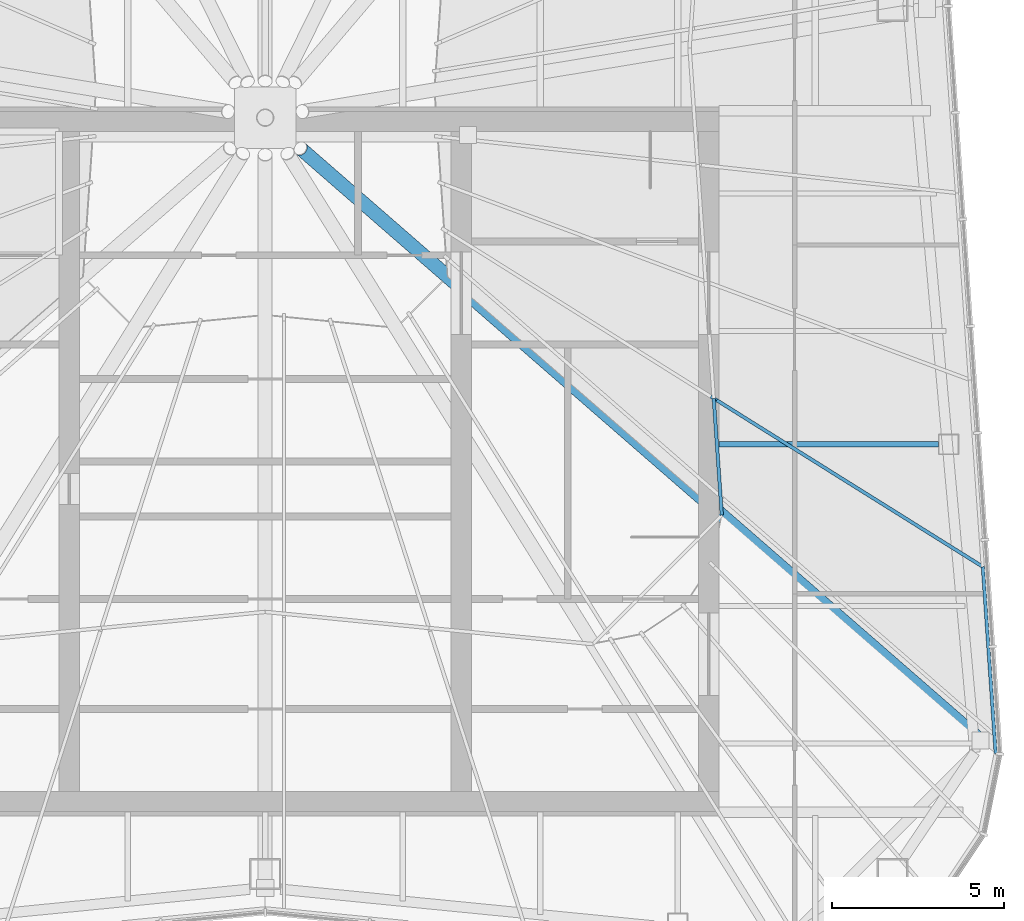
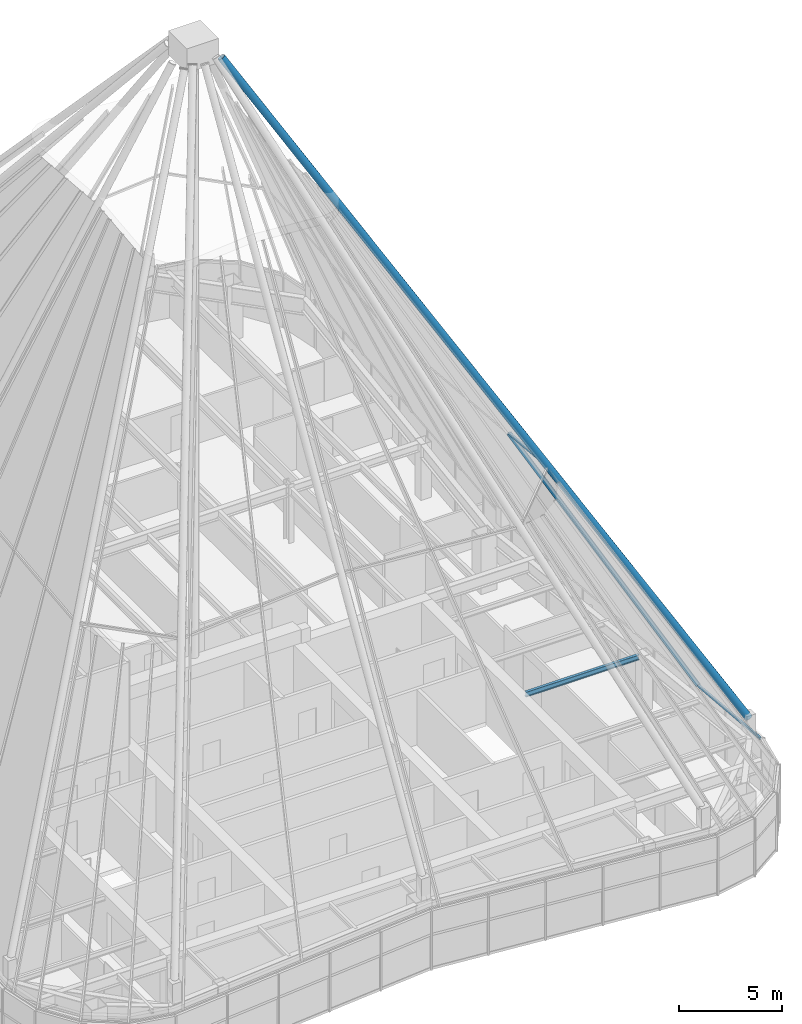
# One storey, part 10 of 28: 4 members, 1 beam, 3 elements without a shape of their own.
"""IFC4 building model written with IfcOpenShell, lengths in metres."""

from ifc_helpers import new_model, si_unit, direction, frame, origin, origin_2d, place, context, subcontext, project, spatial, rectangle, hollow_circle, i_section, extrude, material, material_profile, profile_set, type_object, element, aggregate, save


model = new_model("IFC4")

# Units and contexts
model_context = context("Model", 3, precision=1e-05, world=origin(), true_north=direction((0.0, 1.0)))
body_context = subcontext(model_context, "Body", "Model", "MODEL_VIEW")
ifc_project = project(units=[si_unit("LENGTHUNIT", "METRE"), si_unit("AREAUNIT", "SQUARE_METRE"), si_unit("VOLUMEUNIT", "CUBIC_METRE"), si_unit("PLANEANGLEUNIT", "RADIAN"), si_unit("MASSUNIT", "GRAM", prefix="KILO")], contexts=[model_context])

# Site, building, storey
site_placement = place(None, origin())
site = spatial("IfcSite", under=ifc_project, at=site_placement, CompositionType="ELEMENT")
building_placement = place(site_placement, origin())
building = spatial("IfcBuilding", under=site, at=building_placement, Name="Verdant Reach Tower", CompositionType="ELEMENT")
storey_placement = place(building_placement, frame((0.0, 0.0, 368.0)))
storey = spatial("IfcBuildingStorey", under=building, at=storey_placement, Name="L83 Crown plant", CompositionType="ELEMENT", Elevation=368.0)

# Curtain wall, member
ifc_material_1 = material(Name="Anodised aluminium", Category="aluminium")
curtain_wall_type = type_object("IfcCurtainWallType", Name="EN-CW SYSTEM CROWN APEX", PredefinedType="NOTDEFINED", material=ifc_material_1)
curtain_wall_1_placement = place(storey_placement, origin())
curtain_wall_1 = element("IfcCurtainWall", 1, at=curtain_wall_1_placement, inside=storey, type_object=curtain_wall_type, Name="Crown glazing unit east face part 1 2, level 01", PredefinedType="NOTDEFINED")
ifc_material_profile_1 = material_profile(ifc_material_1, rectangle(XDim=0.10009765625, YDim=0.239990234375, at=origin_2d()), Name="Mullion 100x240")
ifc_profile_set_1 = profile_set([ifc_material_profile_1], Name="Anodised aluminium")
member_type_1 = type_object("IfcMemberType", Name="EN-RIB MULLION CROWN", PredefinedType="MULLION", material=ifc_profile_set_1)
member_1_placement = place(storey_placement, frame((20.875, 24.9375, 3.14990234375), z_axis=(-0.449012699639, 0.280969024625, 0.848200449637), x_axis=(-0.53045514425, -0.847713005644, 0.0)))
member_1 = element("IfcMember", 2, at=member_1_placement, type_object=member_type_1, Name="Crown mullion east face part 1 2, level 01", PredefinedType="MULLION", context=body_context, shape_type="SweptSolid", body=[
    extrude(rectangle(XDim=0.10009765625, YDim=0.239990234375, at=origin_2d()), origin(), (0.0, 0.0, 1.0), 17.43408203125),
])
aggregate(curtain_wall_1, [member_1])

curtain_wall_2_placement = place(storey_placement, origin())
curtain_wall_2 = element("IfcCurtainWall", 3, at=curtain_wall_2_placement, inside=storey, type_object=curtain_wall_type, Name="Crown glazing unit east face part 1 1, level 01", PredefinedType="NOTDEFINED")
ifc_material_profile_2 = material_profile(ifc_material_1, rectangle(XDim=0.10009765625, YDim=0.139892578125, at=origin_2d()), Name="Transom 140x100")
ifc_profile_set_2 = profile_set([ifc_material_profile_2], Name="Anodised aluminium")
member_type_2 = type_object("IfcMemberType", Name="EN-TRANSOM CROWN", PredefinedType="USERDEFINED", material=ifc_profile_set_2)
member_2_placement = place(storey_placement, frame((21.25, 19.5, 3.14990234375), z_axis=(-0.068802091615, 0.997630328423, 0.0), x_axis=(-0.997630328423, -0.068802091615, 0.0)))
member_2 = element("IfcMember", 4, at=member_2_placement, type_object=member_type_2, Name="Crown transom east face part 1 1, level 01", ObjectType="TRANSOM", PredefinedType="USERDEFINED", context=body_context, shape_type="SweptSolid", body=[
    extrude(rectangle(XDim=0.10009765625, YDim=0.139892578125, at=origin_2d()), origin(), (0.0, 0.0, 1.0), 5.450439453125),
])
aggregate(curtain_wall_2, [member_2])

curtain_wall_3_placement = place(storey_placement, origin())
curtain_wall_3 = element("IfcCurtainWall", 5, at=curtain_wall_3_placement, inside=storey, type_object=curtain_wall_type, Name="Crown glazing unit east face part 1 1, level 02", PredefinedType="NOTDEFINED")
member_3_placement = place(storey_placement, frame((13.28125, 26.4375, 17.9375), z_axis=(-0.068802091615, 0.997630328423, 0.0), x_axis=(-0.997630328423, -0.068802091615, 0.0)))
member_3 = element("IfcMember", 6, at=member_3_placement, type_object=member_type_2, Name="Crown transom east face part 1 1, level 02", ObjectType="TRANSOM", PredefinedType="USERDEFINED", context=body_context, shape_type="SweptSolid", body=[
    extrude(rectangle(XDim=0.10009765625, YDim=0.139892578125, at=origin_2d()), origin(), (0.0, 0.0, 1.0), 3.406494140625),
])
aggregate(curtain_wall_3, [member_3])

# Member
ifc_material_2 = material(Name="Steel S460", Category="steel")
ifc_material_profile_3 = material_profile(ifc_material_2, hollow_circle(Radius=0.203125, WallThickness=0.01611328125, at=origin_2d()), Name="CHS 406.4x16")
ifc_profile_set_3 = profile_set([ifc_material_profile_3], Name="Steel S460")
member_type_3 = type_object("IfcMemberType", Name="ST-CROWN-RIB", PredefinedType="BRACE", material=ifc_profile_set_3)
member_4_placement = place(storey_placement, frame((20.8056640625, 19.88671875, 4.304931640625), z_axis=(-0.445414803945, 0.387776900525, 0.806991157229), x_axis=(-0.656621831246, -0.754219975028, 0.0)))
element("IfcMember", 7, at=member_4_placement, inside=storey, type_object=member_type_3, Name="Crown rib 2", PredefinedType="BRACE", context=body_context, shape_type="SweptSolid", body=[
    extrude(hollow_circle(Radius=0.203125, WallThickness=0.01611328125, at=origin_2d()), origin(), (0.0, 0.0, 1.0), 44.38232421875),
])

# Beam
ifc_material_3 = material(Name="Steel S355", Category="steel")
ifc_material_profile_4 = material_profile(ifc_material_3, i_section(OverallWidth=0.14990234375, OverallDepth=0.300048828125, WebThickness=0.007080078125, FlangeThickness=0.0107421875, FilletRadius=0.014892578125, at=origin_2d()), Name="IPE 300")
ifc_profile_set_4 = profile_set([ifc_material_profile_4], Name="Steel S355")
beam_type = type_object("IfcBeamType", Name="ST-JOIST-IPE300", PredefinedType="JOIST", material=ifc_profile_set_4)
beam_placement = place(storey_placement, frame((13.199951171875, 28.5, 3.14990234375), z_axis=(1.0, 0.0, 0.0), x_axis=(0.0, 1.0, 0.0)))
element("IfcBeam", 8, at=beam_placement, inside=storey, type_object=beam_type, Name="Floor joist, L83 Crown plant", PredefinedType="JOIST", context=body_context, shape_type="SweptSolid", body=[
    extrude(i_section(OverallWidth=0.14990234375, OverallDepth=0.300048828125, WebThickness=0.007080078125, FlangeThickness=0.0107421875, FilletRadius=0.014892578125, at=origin_2d()), origin(), (0.0, 0.0, 1.0), 6.37939453125),
])

save(model, "model.ifc")
